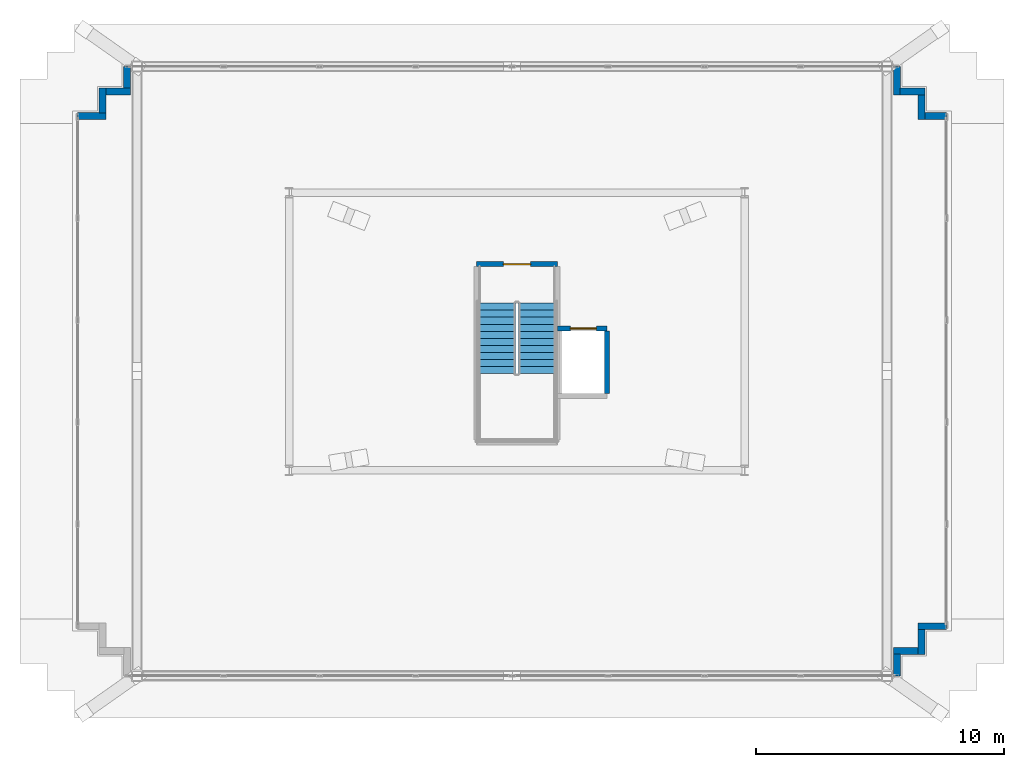
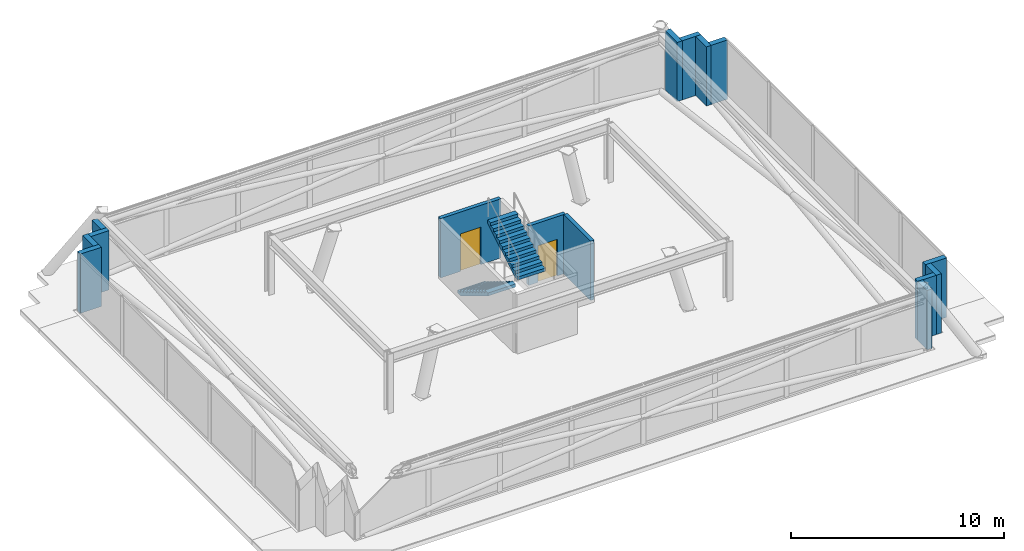
# One storey, part 15 of 18: 15 walls, 2 doors, 2 stair flights, 2 openings, 1 element without a shape of its own.
"""IFC4 building model written with IfcOpenShell, lengths in metres."""

from ifc_helpers import new_model, si_unit, direction, frame, frame_2d, origin, place, context, subcontext, project, spatial, polyline, rectangle, outline, extrude, material, layer, layer_set, type_object, element, fill, aggregate, save


model = new_model("IFC4")

# Units and contexts
model_context = context("Model", 3, precision=1e-05, world=origin(), true_north=direction((0.0, 1.0)))
body_context = subcontext(model_context, "Body", "Model", "MODEL_VIEW")
ifc_project = project(units=[si_unit("LENGTHUNIT", "METRE"), si_unit("AREAUNIT", "SQUARE_METRE"), si_unit("VOLUMEUNIT", "CUBIC_METRE"), si_unit("PLANEANGLEUNIT", "RADIAN"), si_unit("MASSUNIT", "GRAM", prefix="KILO")], contexts=[model_context])

# Site, building, storey
site_placement = place(None, origin())
site = spatial("IfcSite", under=ifc_project, at=site_placement, CompositionType="ELEMENT")
building_placement = place(site_placement, origin())
building = spatial("IfcBuilding", under=site, at=building_placement, Name="Qobustan Lattice House", CompositionType="ELEMENT")
storey_placement = place(building_placement, frame((0.0, 0.0, 277.800048828125)))
storey = spatial("IfcBuildingStorey", under=building, at=storey_placement, Name="L78", CompositionType="ELEMENT", Elevation=277.800048828125)

# Walls
ifc_material_1 = material(Name="Precast concrete C40/50", Category="concrete")
ifc_layer_1 = layer(ifc_material_1, 0.280029296875)
ifc_layer_set_1 = layer_set([ifc_layer_1], Name="Precast concrete C40/50")
wall_type_1 = type_object("IfcWallType", Name="WAL-EXT-CROWN-280", PredefinedType="SOLIDWALL", material=ifc_layer_set_1)
wall_1_placement = place(storey_placement, frame((-17.74658203125, 8.70361328125, 0.0), z_axis=(0.0, 0.0, 1.0), x_axis=(1.0, 0.0, 0.0)))
element("IfcWall", 1, at=wall_1_placement, inside=storey, type_object=wall_type_1, Name="L78 crown faceted limestone wall 6", PredefinedType="SOLIDWALL", context=body_context, shape_type="SweptSolid", body=[
    extrude(rectangle(XDim=1.14013671875, YDim=0.280029296875, at=frame_2d((0.570068359375, 0.0))), origin(), (0.0, 0.0, 1.0), 3.39990234375),
])
for number, where, z_axis, x_axis, name in (
    (2, (-16.74658203125, 8.83154296875, 0.0), (0.0, 0.0, 1.0), (0.0, 1.0, 0.0), "L78 crown faceted limestone wall 7"),
    (3, (-16.618408203125, 9.70361328125, 0.0), (0.0, 0.0, 1.0), (1.0, 0.0, 0.0), "L78 crown faceted limestone wall 8"),
):
    element("IfcWall", number, at=place(storey_placement, frame(where, z_axis=z_axis, x_axis=x_axis)), inside=storey, type_object=wall_type_1, Name=name, PredefinedType="SOLIDWALL", context=body_context, shape_type="SweptSolid", body=[
        extrude(rectangle(XDim=1.011962890625, YDim=0.280029296875, at=frame_2d((0.505859375, 0.0))), origin(), (0.0, 0.0, 1.0), 3.39990234375),
    ])
wall_2_placement = place(storey_placement, frame((-15.74658203125, 9.83154296875, 0.0), z_axis=(0.0, 0.0, 1.0), x_axis=(0.0, 1.0, 0.0)))
element("IfcWall", 4, at=wall_2_placement, inside=storey, type_object=wall_type_1, Name="L78 crown faceted limestone wall 9", PredefinedType="SOLIDWALL", context=body_context, shape_type="SweptSolid", body=[
    extrude(rectangle(XDim=0.8720703125, YDim=0.280029296875, at=frame_2d((0.43603515625, 0.0))), origin(), (0.0, 0.0, 1.0), 3.39990234375),
])
wall_3_placement = place(storey_placement, frame((15.346435546875, 10.70361328125, 0.0), z_axis=(0.0, 0.0, 1.0), x_axis=(0.0, -1.0, 0.0)))
element("IfcWall", 5, at=wall_3_placement, inside=storey, type_object=wall_type_1, Name="L78 crown faceted limestone wall 11", PredefinedType="SOLIDWALL", context=body_context, shape_type="SweptSolid", body=[
    extrude(rectangle(XDim=1.14013671875, YDim=0.280029296875, at=frame_2d((0.570068359375, 0.0))), origin(), (0.0, 0.0, 1.0), 3.39990234375),
])
for number, where, z_axis, x_axis, name in (
    (6, (15.474609375, 9.70361328125, 0.0), (0.0, 0.0, 1.0), (1.0, 0.0, 0.0), "L78 crown faceted limestone wall 12"),
    (7, (16.346435546875, 9.575439453125, 0.0), (0.0, 0.0, 1.0), (0.0, -1.0, 0.0), "L78 crown faceted limestone wall 13"),
):
    element("IfcWall", number, at=place(storey_placement, frame(where, z_axis=z_axis, x_axis=x_axis)), inside=storey, type_object=wall_type_1, Name=name, PredefinedType="SOLIDWALL", context=body_context, shape_type="SweptSolid", body=[
        extrude(rectangle(XDim=1.011962890625, YDim=0.280029296875, at=frame_2d((0.505859375, 0.0))), origin(), (0.0, 0.0, 1.0), 3.39990234375),
    ])
wall_4_placement = place(storey_placement, frame((16.474609375, 8.70361328125, 0.0), z_axis=(0.0, 0.0, 1.0), x_axis=(1.0, 0.0, 0.0)))
element("IfcWall", 8, at=wall_4_placement, inside=storey, type_object=wall_type_1, Name="L78 crown faceted limestone wall 14", PredefinedType="SOLIDWALL", context=body_context, shape_type="SweptSolid", body=[
    extrude(rectangle(XDim=0.871826171875, YDim=0.280029296875, at=frame_2d((0.43603515625, 0.0))), origin(), (0.0, 0.0, 1.0), 3.39990234375),
])
wall_5_placement = place(storey_placement, frame((17.346435546875, -11.903564453125, 0.0), z_axis=(0.0, 0.0, 1.0), x_axis=(-1.0, 0.0, 0.0)))
element("IfcWall", 9, at=wall_5_placement, inside=storey, type_object=wall_type_1, Name="L78 crown faceted limestone wall 16", PredefinedType="SOLIDWALL", context=body_context, shape_type="SweptSolid", body=[
    extrude(rectangle(XDim=1.139892578125, YDim=0.280029296875, at=frame_2d((0.56982421875, 0.0))), origin(), (0.0, 0.0, 1.0), 3.39990234375),
])
for number, where, z_axis, x_axis, name in (
    (10, (16.346435546875, -12.031494140625, 0.0), (0.0, 0.0, 1.0), (0.0, -1.0, 0.0), "L78 crown faceted limestone wall 17"),
    (11, (16.218505859375, -12.903564453125, 0.0), (0.0, 0.0, 1.0), (-1.0, 0.0, 0.0), "L78 crown faceted limestone wall 18"),
):
    element("IfcWall", number, at=place(storey_placement, frame(where, z_axis=z_axis, x_axis=x_axis)), inside=storey, type_object=wall_type_1, Name=name, PredefinedType="SOLIDWALL", context=body_context, shape_type="SweptSolid", body=[
        extrude(rectangle(XDim=1.011962890625, YDim=0.280029296875, at=frame_2d((0.505859375, 0.0))), origin(), (0.0, 0.0, 1.0), 3.39990234375),
    ])
wall_6_placement = place(storey_placement, frame((15.346435546875, -13.031494140625, 0.0), z_axis=(0.0, 0.0, 1.0), x_axis=(0.0, -1.0, 0.0)))
element("IfcWall", 12, at=wall_6_placement, inside=storey, type_object=wall_type_1, Name="L78 crown faceted limestone wall 19", PredefinedType="SOLIDWALL", context=body_context, shape_type="SweptSolid", body=[
    extrude(rectangle(XDim=0.8720703125, YDim=0.280029296875, at=frame_2d((0.43603515625, 0.0))), origin(), (0.0, 0.0, 1.0), 3.39990234375),
])

# Wall, opening, door
ifc_material_2 = material(Name="Concrete C40/50", Category="concrete")
ifc_layer_2 = layer(ifc_material_2, 0.199951171875)
ifc_layer_set_2 = layer_set([ifc_layer_2], Name="Concrete C40/50")
wall_type_2 = type_object("IfcWallType", Name="WAL-SHAFT-LB-200", PredefinedType="SHEAR", material=ifc_layer_set_2)
wall_7_placement = place(storey_placement, frame((-1.639892578125, 2.719970703125, 0.0), z_axis=(0.0, 0.0, 1.0), x_axis=(1.0, 0.0, 0.0)))
wall_7 = element("IfcWall", 13, at=wall_7_placement, inside=storey, type_object=wall_type_2, Name="L78 crown stair ST-C1 RC shaft wall STC-N", PredefinedType="SHEAR", context=body_context, shape_type="SweptSolid", body=[
    extrude(rectangle(XDim=3.27978515625, YDim=0.199951171875, at=frame_2d((1.639892578125, 0.0))), origin(), (0.0, 0.0, 1.0), 3.39990234375),
])
opening_1_placement = place(wall_7_placement, frame((1.090087890625, 0.0, 0.0)))
opening_1 = element("IfcOpeningElement", 14, at=opening_1_placement, cuts=wall_7, Name="Opening SD-01", PredefinedType="OPENING", context=body_context, shape_type="SweptSolid", body=[
    extrude(rectangle(XDim=1.10009765625, YDim=2.14990234375, at=frame_2d((0.550048828125, 1.074951171875))), frame((0.0, 0.10986328125, 0.0), z_axis=(0.0, -1.0, 0.0), x_axis=(1.0, 0.0, 0.0)), (0.0, 0.0, 1.0), 0.219970703125),
])
ifc_material_3 = material(Name="Persian walnut timber and steel frame door", Category="steel")
door_type_1 = type_object("IfcDoorType", Name="DOR-STAIR-FD-1100x2150", OperationType="NOTDEFINED", PredefinedType="DOOR", material=ifc_material_3)
door_1_placement = place(opening_1_placement, origin())
door_1 = element("IfcDoor", 15, at=door_1_placement, inside=storey, type_object=door_type_1, Name="L78 crown access stair ST-C1 fire door", OperationType="SINGLE_SWING_RIGHT", OverallHeight=2.14990234375, OverallWidth=1.10009765625, PredefinedType="DOOR", context=body_context, shape_type="SweptSolid", body=[
    extrude(rectangle(XDim=1.10009765625, YDim=2.14990234375, at=frame_2d((0.550048828125, 1.074951171875))), frame((0.0, 0.02490234375, 0.0), z_axis=(0.0, -1.0, 0.0), x_axis=(1.0, 0.0, 0.0)), (0.0, 0.0, 1.0), 0.050048828125),
])
fill(opening_1, door_1)

wall_8_placement = place(storey_placement, frame((1.639892578125, 0.1201171875, 0.0), z_axis=(0.0, 0.0, 1.0), x_axis=(1.0, 0.0, 0.0)))
wall_8 = element("IfcWall", 16, at=wall_8_placement, inside=storey, type_object=wall_type_2, Name="L78 crown firefighting lift RC shaft wall FFC-N", PredefinedType="SHEAR", context=body_context, shape_type="SweptSolid", body=[
    extrude(rectangle(XDim=2.0, YDim=0.199951171875, at=frame_2d((1.0, 0.0))), origin(), (0.0, 0.0, 1.0), 3.39990234375),
])
opening_2_placement = place(wall_8_placement, frame((0.514892578125, 0.0, 0.0)))
opening_2 = element("IfcOpeningElement", 17, at=opening_2_placement, cuts=wall_8, Name="Opening LD-01", PredefinedType="OPENING", context=body_context, shape_type="SweptSolid", body=[
    extrude(rectangle(XDim=1.050048828125, YDim=2.10009765625, at=frame_2d((0.52490234375, 1.050048828125))), frame((0.0, 0.10986328125, 0.0), z_axis=(0.0, -1.0, 0.0), x_axis=(1.0, 0.0, 0.0)), (0.0, 0.0, 1.0), 0.219970703125),
])
ifc_material_4 = material(Name="Persian walnut timber and steel frame door", Category="steel")
door_type_2 = type_object("IfcDoorType", Name="DOR-LIFT-LD-1050x2100", OperationType="NOTDEFINED", PredefinedType="DOOR", material=ifc_material_4)
door_2_placement = place(opening_2_placement, origin())
door_2 = element("IfcDoor", 18, at=door_2_placement, inside=storey, type_object=door_type_2, Name="L78 crown firefighting lift FF-C landing door", OperationType="DOUBLE_DOOR_SLIDING", OverallHeight=2.10009765625, OverallWidth=1.050048828125, PredefinedType="DOOR", context=body_context, shape_type="SweptSolid", body=[
    extrude(rectangle(XDim=1.050048828125, YDim=2.10009765625, at=frame_2d((0.52490234375, 1.050048828125))), frame((0.0, 0.02490234375, 0.0), z_axis=(0.0, -1.0, 0.0), x_axis=(1.0, 0.0, 0.0)), (0.0, 0.0, 1.0), 0.050048828125),
])
fill(opening_2, door_2)

# Wall
wall_9_placement = place(storey_placement, frame((3.639892578125, -2.5, 0.0), z_axis=(0.0, 0.0, 1.0), x_axis=(0.0, 1.0, 0.0)))
element("IfcWall", 19, at=wall_9_placement, inside=storey, type_object=wall_type_2, Name="L78 crown firefighting lift RC shaft wall FFC-E", PredefinedType="SHEAR", context=body_context, shape_type="SweptSolid", body=[
    extrude(rectangle(XDim=2.52001953125, YDim=0.199951171875, at=frame_2d((1.260009765625, 0.0))), origin(), (0.0, 0.0, 1.0), 3.39990234375),
])

# Stair, stair flights
ifc_material_5 = material(Name="Concrete C40/50", Category="concrete")
stair_type = type_object("IfcStairType", Name="STR-CORE-DOGLEG", PredefinedType="HALF_TURN_STAIR", material=ifc_material_5)
stair_placement = place(storey_placement, origin())
stair = element("IfcStair", 20, at=stair_placement, inside=storey, type_object=stair_type, Name="L78 Crown access stair ST-C1", PredefinedType="HALF_TURN_STAIR")
ifc_material_6 = material(Name="Concrete C40/50", Category="concrete")
stair_flight_type = type_object("IfcStairFlightType", Name="SFL-RC-1500", PredefinedType="STRAIGHT", material=ifc_material_6)
stair_flight_1_placement = place(storey_placement, frame((-0.81005859375, 1.14990234375, 0.0), z_axis=(0.0, 0.0, 1.0), x_axis=(0.0, -1.0, 0.0)))
stair_flight_1 = element("IfcStairFlight", 21, at=stair_flight_1_placement, type_object=stair_flight_type, Name="ST-C1 flight 1", NumberOfRisers=11, NumberOfTreads=10, PredefinedType="STRAIGHT", RiserHeight=0.172727273, TreadLength=0.285, context=body_context, shape_type="SweptSolid", body=[
    extrude(outline(polyline([(0.0, 0.0), (0.0, 0.172607421875), (0.284912109375, 0.172607421875), (0.284912109375, 0.345458984375), (0.570068359375, 0.345458984375), (0.570068359375, 0.51806640625), (0.85498046875, 0.51806640625), (0.85498046875, 0.69091796875), (1.139892578125, 0.69091796875), (1.139892578125, 0.863525390625), (1.425048828125, 0.863525390625), (1.425048828125, 1.036376953125), (1.7099609375, 1.036376953125), (1.7099609375, 1.208984375), (1.9951171875, 1.208984375), (1.9951171875, 1.3818359375), (2.280029296875, 1.3818359375), (2.280029296875, 1.554443359375), (2.56494140625, 1.554443359375), (2.56494140625, 1.727294921875), (2.85009765625, 1.727294921875), (2.85009765625, 1.89990234375), (2.85009765625, 1.552001953125), (0.289306640625, 0.0), (0.0, 0.0)])), frame((0.0, 0.75, 0.0), z_axis=(0.0, -1.0, 0.0), x_axis=(1.0, 0.0, 0.0)), (0.0, 0.0, 1.0), 1.5),
])
stair_flight_2_placement = place(storey_placement, frame((0.81005859375, -1.699951171875, 1.89990234375), z_axis=(0.0, 0.0, 1.0), x_axis=(0.0, 1.0, 0.0)))
stair_flight_2 = element("IfcStairFlight", 22, at=stair_flight_2_placement, type_object=stair_flight_type, Name="ST-C1 flight 2", NumberOfRisers=11, NumberOfTreads=10, PredefinedType="STRAIGHT", RiserHeight=0.172727273, TreadLength=0.285, context=body_context, shape_type="SweptSolid", body=[
    extrude(outline(polyline([(0.0, 0.0), (0.0, 0.172607421875), (0.284912109375, 0.172607421875), (0.284912109375, 0.345458984375), (0.570068359375, 0.345458984375), (0.570068359375, 0.51806640625), (0.85498046875, 0.51806640625), (0.85498046875, 0.69091796875), (1.139892578125, 0.69091796875), (1.139892578125, 0.863525390625), (1.425048828125, 0.863525390625), (1.425048828125, 1.036376953125), (1.7099609375, 1.036376953125), (1.7099609375, 1.208984375), (1.9951171875, 1.208984375), (1.9951171875, 1.3818359375), (2.280029296875, 1.3818359375), (2.280029296875, 1.554443359375), (2.56494140625, 1.554443359375), (2.56494140625, 1.727294921875), (2.85009765625, 1.727294921875), (2.85009765625, 1.89990234375), (2.85009765625, 1.552001953125), (0.289306640625, 0.0), (0.0, 0.0)])), frame((0.0, 0.75, 0.0), z_axis=(0.0, -1.0, 0.0), x_axis=(1.0, 0.0, 0.0)), (0.0, 0.0, 1.0), 1.5),
])
aggregate(stair, [stair_flight_1, stair_flight_2])

save(model, "model.ifc")
